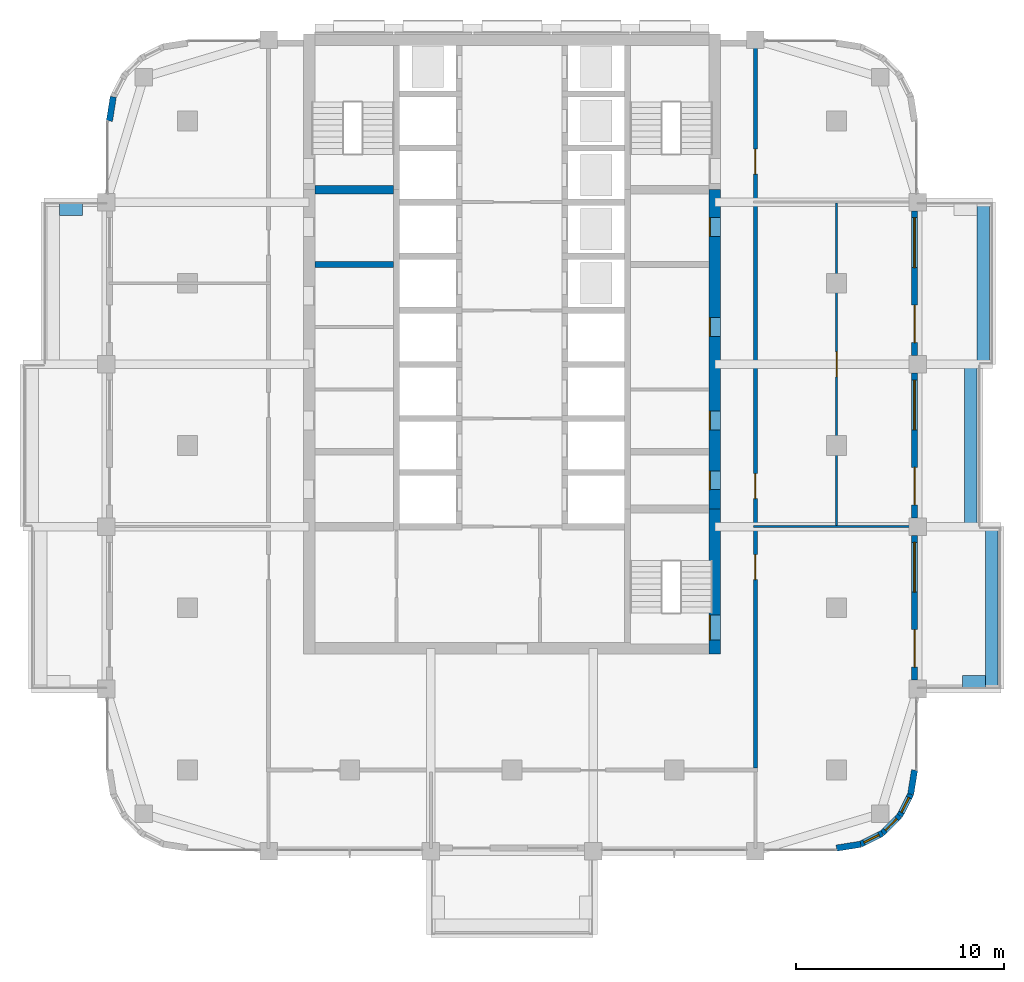
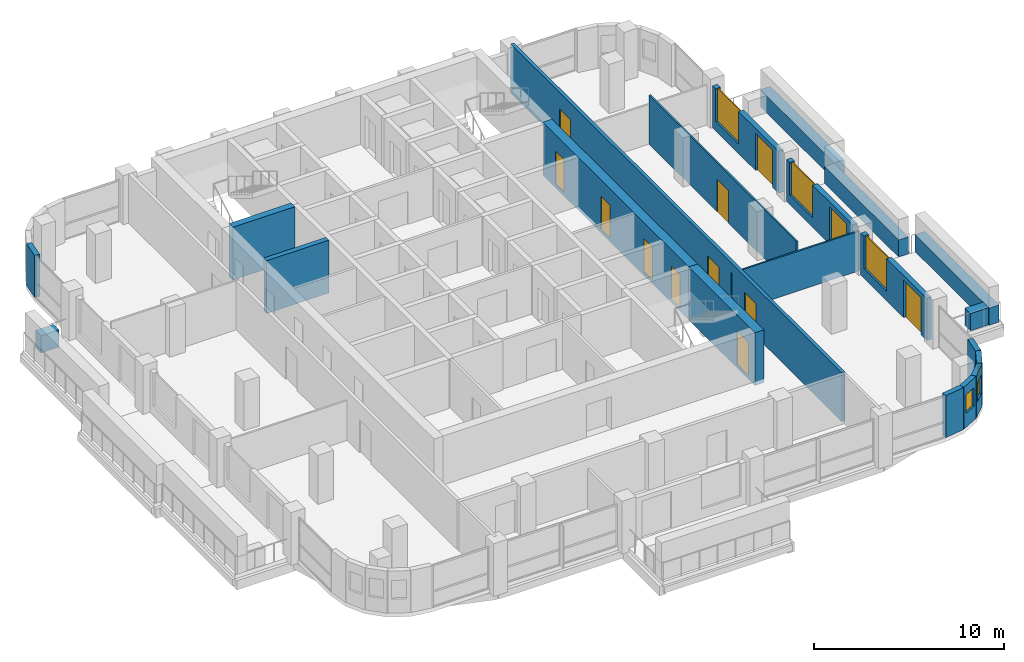
# One storey, part 12 of 19: 21 walls, 12 doors, 6 windows, 18 openings.
"""IFC4 building model written with IfcOpenShell, lengths in metres."""

from ifc_helpers import new_model, si_unit, direction, frame, frame_2d, origin, place, context, subcontext, project, spatial, rectangle, extrude, material, layer, layer_set, type_object, element, fill, save


model = new_model("IFC4")

# Units and contexts
model_context = context("Model", 3, precision=1e-05, world=origin(), true_north=direction((0.0, 1.0)))
body_context = subcontext(model_context, "Body", "Model", "MODEL_VIEW")
ifc_project = project(units=[si_unit("LENGTHUNIT", "METRE"), si_unit("AREAUNIT", "SQUARE_METRE"), si_unit("VOLUMEUNIT", "CUBIC_METRE"), si_unit("PLANEANGLEUNIT", "RADIAN"), si_unit("MASSUNIT", "GRAM", prefix="KILO")], contexts=[model_context])

# Site, building, storey
site_placement = place(None, origin())
site = spatial("IfcSite", under=ifc_project, at=site_placement, CompositionType="ELEMENT")
building_placement = place(site_placement, origin())
building = spatial("IfcBuilding", under=site, at=building_placement, Name="Ludao Terraces", CompositionType="ELEMENT")
storey_placement = place(building_placement, frame((0.0, 0.0, 133.89990234375)))
storey = spatial("IfcBuildingStorey", under=building, at=storey_placement, Name="L36", CompositionType="ELEMENT", Elevation=133.89990234375)

# Wall, opening, door
ifc_material_1 = material(Name="Concrete C60", Category="concrete")
ifc_layer_1 = layer(ifc_material_1, 0.550048828125)
ifc_layer_set_1 = layer_set([ifc_layer_1], Name="Core wall 550 C60")
wall_type_1 = type_object("IfcWallType", Name="Core wall 550 C60", PredefinedType="SOLIDWALL", material=ifc_layer_set_1)
wall_1_placement = place(storey_placement, frame((94.75, 54.97509765625, -0.25), z_axis=(0.0, 0.0, 1.0), x_axis=(0.0, 1.0, 0.0)))
wall_1 = element("IfcWall", 1, at=wall_1_placement, inside=storey, type_object=wall_type_1, Name="Core wall L36 outer-E-S3", PredefinedType="SOLIDWALL", context=body_context, shape_type="SweptSolid", body=[
    extrude(rectangle(XDim=6.974853515625, YDim=0.550048828125, at=frame_2d((3.4873046875, 0.0))), origin(), (0.0, 0.0, 1.0), 3.400146484375),
])
opening_1_placement = place(wall_1_placement, frame((0.675048828125, 0.0, 0.25)))
opening_1 = element("IfcOpeningElement", 2, at=opening_1_placement, cuts=wall_1, Name="Opening C2-004", PredefinedType="OPENING", context=body_context, shape_type="SweptSolid", body=[
    extrude(rectangle(XDim=1.199951171875, YDim=2.10009765625, at=frame_2d((0.60009765625, 1.050048828125))), frame((0.0, 0.28515625, 0.0), z_axis=(0.0, -1.0, 0.0), x_axis=(1.0, 0.0, 0.0)), (0.0, 0.0, 1.0), 0.570068359375),
])
ifc_material_2 = material(Name="Steel Q235", Category="steel")
door_type_1 = type_object("IfcDoorType", Name="INT Stair door 1200", OperationType="DOUBLE_DOOR_SINGLE_SWING", PredefinedType="DOOR", material=ifc_material_2)
door_1_placement = place(opening_1_placement, origin())
door_1 = element("IfcDoor", 3, at=door_1_placement, inside=storey, type_object=door_type_1, Name="DOOR 004", OperationType="DOUBLE_DOOR_SINGLE_SWING", OverallHeight=2.10009765625, OverallWidth=1.199951171875, PredefinedType="DOOR", context=body_context, shape_type="SweptSolid", body=[
    extrude(rectangle(XDim=1.199951171875, YDim=2.10009765625, at=frame_2d((0.60009765625, 1.050048828125))), frame((0.0, 0.26025390625, 0.0), z_axis=(0.0, -1.0, 0.0), x_axis=(1.0, 0.0, 0.0)), (0.0, 0.0, 1.0), 0.050048828125),
])
fill(opening_1, door_1)

# Wall, openings, doors
wall_2_placement = place(storey_placement, frame((94.75, 61.949951171875, -0.25), z_axis=(0.0, 0.0, 1.0), x_axis=(0.0, 1.0, 0.0)))
wall_2 = element("IfcWall", 4, at=wall_2_placement, inside=storey, type_object=wall_type_1, Name="Core wall L36 outer-E", PredefinedType="SOLIDWALL", context=body_context, shape_type="SweptSolid", body=[
    extrude(rectangle(XDim=15.35009765625, YDim=0.550048828125, at=frame_2d((7.675048828125, 0.0))), origin(), (0.0, 0.0, 1.0), 3.400146484375),
])
opening_2_placement = place(wall_2_placement, frame((0.925048828125, 0.0, 0.25)))
opening_2 = element("IfcOpeningElement", 5, at=opening_2_placement, cuts=wall_2, Name="Opening C2-014", PredefinedType="OPENING", context=body_context, shape_type="SweptSolid", body=[
    extrude(rectangle(XDim=0.89990234375, YDim=2.10009765625, at=frame_2d((0.449951171875, 1.050048828125))), frame((0.0, 0.28515625, 0.0), z_axis=(0.0, -1.0, 0.0), x_axis=(1.0, 0.0, 0.0)), (0.0, 0.0, 1.0), 0.570068359375),
])
opening_3_placement = place(wall_2_placement, frame((3.800048828125, 0.0, 0.25)))
opening_3 = element("IfcOpeningElement", 6, at=opening_3_placement, cuts=wall_2, Name="Opening C2-018", PredefinedType="OPENING", context=body_context, shape_type="SweptSolid", body=[
    extrude(rectangle(XDim=0.89990234375, YDim=2.10009765625, at=frame_2d((0.449951171875, 1.050048828125))), frame((0.0, 0.28515625, 0.0), z_axis=(0.0, -1.0, 0.0), x_axis=(1.0, 0.0, 0.0)), (0.0, 0.0, 1.0), 0.570068359375),
])
opening_4_placement = place(wall_2_placement, frame((8.300048828125, 0.0, 0.25)))
opening_4 = element("IfcOpeningElement", 7, at=opening_4_placement, cuts=wall_2, Name="Opening C2-027", PredefinedType="OPENING", context=body_context, shape_type="SweptSolid", body=[
    extrude(rectangle(XDim=0.89990234375, YDim=2.10009765625, at=frame_2d((0.449951171875, 1.050048828125))), frame((0.0, 0.28515625, 0.0), z_axis=(0.0, -1.0, 0.0), x_axis=(1.0, 0.0, 0.0)), (0.0, 0.0, 1.0), 0.570068359375),
])
opening_5_placement = place(wall_2_placement, frame((13.10009765625, 0.0, 0.25)))
opening_5 = element("IfcOpeningElement", 8, at=opening_5_placement, cuts=wall_2, Name="Opening C2-036", PredefinedType="OPENING", context=body_context, shape_type="SweptSolid", body=[
    extrude(rectangle(XDim=0.89990234375, YDim=2.10009765625, at=frame_2d((0.449951171875, 1.050048828125))), frame((0.0, 0.28515625, 0.0), z_axis=(0.0, -1.0, 0.0), x_axis=(1.0, 0.0, 0.0)), (0.0, 0.0, 1.0), 0.570068359375),
])
door_type_2 = type_object("IfcDoorType", Name="INT Riser door 900", OperationType="SINGLE_SWING_LEFT", PredefinedType="DOOR", material=ifc_material_2)
door_2_placement = place(opening_2_placement, origin())
door_2 = element("IfcDoor", 9, at=door_2_placement, inside=storey, type_object=door_type_2, Name="DOOR 014", OperationType="SINGLE_SWING_LEFT", OverallHeight=2.10009765625, OverallWidth=0.89990234375, PredefinedType="DOOR", context=body_context, shape_type="SweptSolid", body=[
    extrude(rectangle(XDim=0.89990234375, YDim=2.10009765625, at=frame_2d((0.449951171875, 1.050048828125))), frame((0.0, 0.26025390625, 0.0), z_axis=(0.0, -1.0, 0.0), x_axis=(1.0, 0.0, 0.0)), (0.0, 0.0, 1.0), 0.050048828125),
])
fill(opening_2, door_2)
door_3_placement = place(opening_5_placement, origin())
door_3 = element("IfcDoor", 10, at=door_3_placement, inside=storey, type_object=door_type_2, Name="DOOR 036", OperationType="SINGLE_SWING_LEFT", OverallHeight=2.10009765625, OverallWidth=0.89990234375, PredefinedType="DOOR", context=body_context, shape_type="SweptSolid", body=[
    extrude(rectangle(XDim=0.89990234375, YDim=2.10009765625, at=frame_2d((0.449951171875, 1.050048828125))), frame((0.0, 0.26025390625, 0.0), z_axis=(0.0, -1.0, 0.0), x_axis=(1.0, 0.0, 0.0)), (0.0, 0.0, 1.0), 0.050048828125),
])
fill(opening_5, door_3)
ifc_material_3 = material(Name="Timber door leaf", Category="wood")
door_type_3 = type_object("IfcDoorType", Name="INT Room door 900", OperationType="SINGLE_SWING_LEFT", PredefinedType="DOOR", material=ifc_material_3)
door_4_placement = place(opening_3_placement, origin())
door_4 = element("IfcDoor", 11, at=door_4_placement, inside=storey, type_object=door_type_3, Name="DOOR 018", OperationType="SINGLE_SWING_LEFT", OverallHeight=2.10009765625, OverallWidth=0.89990234375, PredefinedType="DOOR", context=body_context, shape_type="SweptSolid", body=[
    extrude(rectangle(XDim=0.89990234375, YDim=2.10009765625, at=frame_2d((0.449951171875, 1.050048828125))), frame((0.0, 0.26025390625, 0.0), z_axis=(0.0, -1.0, 0.0), x_axis=(1.0, 0.0, 0.0)), (0.0, 0.0, 1.0), 0.050048828125),
])
fill(opening_3, door_4)
door_5_placement = place(opening_4_placement, origin())
door_5 = element("IfcDoor", 12, at=door_5_placement, inside=storey, type_object=door_type_3, Name="DOOR 027", OperationType="SINGLE_SWING_RIGHT", OverallHeight=2.10009765625, OverallWidth=0.89990234375, PredefinedType="DOOR", context=body_context, shape_type="SweptSolid", body=[
    extrude(rectangle(XDim=0.89990234375, YDim=2.10009765625, at=frame_2d((0.449951171875, 1.050048828125))), frame((0.0, 0.26025390625, 0.0), z_axis=(0.0, -1.0, 0.0), x_axis=(1.0, 0.0, 0.0)), (0.0, 0.0, 1.0), 0.050048828125),
])
fill(opening_4, door_5)

# Walls
ifc_material_4 = material(Name="Concrete C40", Category="concrete")
ifc_layer_2 = layer(ifc_material_4, 0.60009765625)
ifc_layer_set_2 = layer_set([ifc_layer_2], Name="ENV Planter trough 600")
wall_type_2 = type_object("IfcWallType", Name="ENV Planter trough 600", PredefinedType="USERDEFINED", material=ifc_layer_set_2)
wall_3_placement = place(storey_placement, frame((108.050048828125, 53.300048828125, 0.0), z_axis=(0.0, 0.0, 1.0), x_axis=(0.0, 1.0, 0.0)))
element("IfcWall", 13, at=wall_3_placement, inside=storey, type_object=wall_type_2, Name="PL-L36-E1", ObjectType="PLANTER", PredefinedType="USERDEFINED", context=body_context, shape_type="SweptSolid", body=[
    extrude(rectangle(XDim=7.800048828125, YDim=0.60009765625, at=frame_2d((3.89990234375, 0.0))), origin(), (0.0, 0.0, 1.0), 1.10009765625),
])
wall_4_placement = place(storey_placement, frame((107.75, 53.64990234375, 0.0), z_axis=(0.0, 0.0, 1.0), x_axis=(-1.0, 0.0, 0.0)))
element("IfcWall", 14, at=wall_4_placement, inside=storey, type_object=wall_type_2, Name="PL-L36-E1-SA", ObjectType="PLANTER", PredefinedType="USERDEFINED", context=body_context, shape_type="SweptSolid", body=[
    extrude(rectangle(XDim=1.10009765625, YDim=0.60009765625, at=frame_2d((0.550048828125, 0.0))), origin(), (0.0, 0.0, 1.0), 1.10009765625),
])
wall_5_placement = place(storey_placement, frame((107.050048828125, 61.10009765625, 0.0), z_axis=(0.0, 0.0, 1.0), x_axis=(0.0, 1.0, 0.0)))
element("IfcWall", 15, at=wall_5_placement, inside=storey, type_object=wall_type_2, Name="PL-L36-E2", ObjectType="PLANTER", PredefinedType="USERDEFINED", context=body_context, shape_type="SweptSolid", body=[
    extrude(rectangle(XDim=7.7998046875, YDim=0.60009765625, at=frame_2d((3.89990234375, 0.0))), origin(), (0.0, 0.0, 1.0), 1.10009765625),
])
wall_6_placement = place(storey_placement, frame((107.64990234375, 68.89990234375, 0.0), z_axis=(0.0, 0.0, 1.0), x_axis=(0.0, 1.0, 0.0)))
element("IfcWall", 16, at=wall_6_placement, inside=storey, type_object=wall_type_2, Name="PL-L36-E3", ObjectType="PLANTER", PredefinedType="USERDEFINED", context=body_context, shape_type="SweptSolid", body=[
    extrude(rectangle(XDim=7.800048828125, YDim=0.60009765625, at=frame_2d((3.89990234375, 0.0))), origin(), (0.0, 0.0, 1.0), 1.10009765625),
])
wall_7_placement = place(storey_placement, frame((63.25, 76.35009765625, 0.0), z_axis=(0.0, 0.0, 1.0), x_axis=(1.0, 0.0, 0.0)))
element("IfcWall", 17, at=wall_7_placement, inside=storey, type_object=wall_type_2, Name="PL-L36-W3-SB", ObjectType="PLANTER", PredefinedType="USERDEFINED", context=body_context, shape_type="SweptSolid", body=[
    extrude(rectangle(XDim=1.10009765625, YDim=0.60009765625, at=frame_2d((0.550048828125, 0.0))), origin(), (0.0, 0.0, 1.0), 1.10009765625),
])

# Wall, openings, door, window
ifc_material_5 = material(Name="Granite cladding", Category="masonry")
ifc_layer_3 = layer(ifc_material_5, 0.0400390625, Category="stone")
ifc_material_6 = material(Name="Mineral wool")
ifc_layer_4 = layer(ifc_material_6, 0.06005859375)
ifc_layer_5 = layer(ifc_material_4, 0.199951171875, Category="concrete")
ifc_layer_set_3 = layer_set([ifc_layer_3, ifc_layer_4, ifc_layer_5], Name="ENV Stone-clad wall 300")
wall_type_3 = type_object("IfcWallType", Name="ENV Stone-clad wall 300", PredefinedType="SOLIDWALL", material=ifc_layer_set_3)
wall_8_placement = place(storey_placement, frame((104.35009765625, 53.72509765625, 0.0), z_axis=(0.0, 0.0, 1.0), x_axis=(0.0, 1.0, 0.0)))
wall_8 = element("IfcWall", 18, at=wall_8_placement, inside=storey, type_object=wall_type_3, Name="EW-L36-E2", PredefinedType="SOLIDWALL", context=body_context, shape_type="SweptSolid", body=[
    extrude(rectangle(XDim=6.949951171875, YDim=0.300048828125, at=frame_2d((3.47509765625, 0.0))), origin(), (0.0, 0.0, 1.0), 2.7001953125),
])
opening_6_placement = place(wall_8_placement, frame((0.625, 0.0, 0.0)))
opening_6 = element("IfcOpeningElement", 19, at=opening_6_placement, cuts=wall_8, Name="Opening BD", PredefinedType="OPENING", context=body_context, shape_type="SweptSolid", body=[
    extrude(rectangle(XDim=1.800048828125, YDim=2.39990234375, at=frame_2d((0.89990234375, 1.199951171875))), frame((0.0, 0.16015625, 0.0), z_axis=(0.0, -1.0, 0.0), x_axis=(1.0, 0.0, 0.0)), (0.0, 0.0, 1.0), 0.320068359375),
])
opening_7_placement = place(wall_8_placement, frame((4.22509765625, 0.0, 0.60009765625)))
opening_7 = element("IfcOpeningElement", 20, at=opening_7_placement, cuts=wall_8, Name="Opening W4", PredefinedType="OPENING", context=body_context, shape_type="SweptSolid", body=[
    extrude(rectangle(XDim=2.39990234375, YDim=2.10009765625, at=frame_2d((1.199951171875, 1.050048828125))), frame((0.0, 0.16015625, 0.0), z_axis=(0.0, -1.0, 0.0), x_axis=(1.0, 0.0, 0.0)), (0.0, 0.0, 1.0), 0.320068359375),
])
ifc_material_7 = material(Name="Aluminium glazed door", Category="aluminium")
ifc_layer_6 = layer(ifc_material_7, 0.06005859375)
ifc_layer_set_4 = layer_set([ifc_layer_6], Name="ENV Balcony door BD 1800x2400")
door_type_4 = type_object("IfcDoorType", Name="ENV Balcony door BD 1800x2400", OperationType="DOUBLE_DOOR_SINGLE_SWING", PredefinedType="DOOR", material=ifc_layer_set_4)
door_6_placement = place(opening_6_placement, origin())
door_6 = element("IfcDoor", 21, at=door_6_placement, inside=storey, type_object=door_type_4, Name="BD-L36-E2-1", OperationType="DOUBLE_DOOR_SINGLE_SWING", OverallHeight=2.39990234375, OverallWidth=1.800048828125, PredefinedType="DOOR", context=body_context, shape_type="SweptSolid", body=[
    extrude(rectangle(XDim=1.800048828125, YDim=2.39990234375, at=frame_2d((0.89990234375, 1.199951171875))), frame((0.0, 0.02490234375, 0.0), z_axis=(0.0, -1.0, 0.0), x_axis=(1.0, 0.0, 0.0)), (0.0, 0.0, 1.0), 0.050048828125),
])
fill(opening_6, door_6)
ifc_material_8 = material(Name="Clear glass in aluminium frame", Category="aluminium")
ifc_layer_7 = layer(ifc_material_8, 0.06005859375)
ifc_layer_set_5 = layer_set([ifc_layer_7], Name="ENV Window W4 2400x2100")
window_type_1 = type_object("IfcWindowType", Name="ENV Window W4 2400x2100", PartitioningType="SINGLE_PANEL", PredefinedType="WINDOW", material=ifc_layer_set_5)
window_1_placement = place(opening_7_placement, origin())
window_1 = element("IfcWindow", 22, at=window_1_placement, inside=storey, type_object=window_type_1, Name="W-L36-E2-2", OverallHeight=2.10009765625, OverallWidth=2.39990234375, PartitioningType="SINGLE_PANEL", PredefinedType="WINDOW", context=body_context, shape_type="SweptSolid", body=[
    extrude(rectangle(XDim=2.39990234375, YDim=2.10009765625, at=frame_2d((1.199951171875, 1.050048828125))), frame((0.0, 0.030029296875, 0.0), z_axis=(0.0, -1.0, 0.0), x_axis=(1.0, 0.0, 0.0)), (0.0, 0.0, 1.0), 0.06005859375),
])
fill(opening_7, window_1)

wall_9_placement = place(storey_placement, frame((104.35009765625, 61.52490234375, 0.0), z_axis=(0.0, 0.0, 1.0), x_axis=(0.0, 1.0, 0.0)))
wall_9 = element("IfcWall", 23, at=wall_9_placement, inside=storey, type_object=wall_type_3, Name="EW-L36-E3", PredefinedType="SOLIDWALL", context=body_context, shape_type="SweptSolid", body=[
    extrude(rectangle(XDim=6.9501953125, YDim=0.300048828125, at=frame_2d((3.47509765625, 0.0))), origin(), (0.0, 0.0, 1.0), 2.7001953125),
])
opening_8_placement = place(wall_9_placement, frame((0.625, 0.0, 0.0)))
opening_8 = element("IfcOpeningElement", 24, at=opening_8_placement, cuts=wall_9, Name="Opening BD", PredefinedType="OPENING", context=body_context, shape_type="SweptSolid", body=[
    extrude(rectangle(XDim=1.800048828125, YDim=2.39990234375, at=frame_2d((0.89990234375, 1.199951171875))), frame((0.0, 0.16015625, 0.0), z_axis=(0.0, -1.0, 0.0), x_axis=(1.0, 0.0, 0.0)), (0.0, 0.0, 1.0), 0.320068359375),
])
opening_9_placement = place(wall_9_placement, frame((4.22509765625, 0.0, 0.60009765625)))
opening_9 = element("IfcOpeningElement", 25, at=opening_9_placement, cuts=wall_9, Name="Opening W4", PredefinedType="OPENING", context=body_context, shape_type="SweptSolid", body=[
    extrude(rectangle(XDim=2.39990234375, YDim=2.10009765625, at=frame_2d((1.199951171875, 1.050048828125))), frame((0.0, 0.16015625, 0.0), z_axis=(0.0, -1.0, 0.0), x_axis=(1.0, 0.0, 0.0)), (0.0, 0.0, 1.0), 0.320068359375),
])
door_7_placement = place(opening_8_placement, origin())
door_7 = element("IfcDoor", 26, at=door_7_placement, inside=storey, type_object=door_type_4, Name="BD-L36-E3-1", OperationType="DOUBLE_DOOR_SINGLE_SWING", OverallHeight=2.39990234375, OverallWidth=1.800048828125, PredefinedType="DOOR", context=body_context, shape_type="SweptSolid", body=[
    extrude(rectangle(XDim=1.800048828125, YDim=2.39990234375, at=frame_2d((0.89990234375, 1.199951171875))), frame((0.0, 0.02490234375, 0.0), z_axis=(0.0, -1.0, 0.0), x_axis=(1.0, 0.0, 0.0)), (0.0, 0.0, 1.0), 0.050048828125),
])
fill(opening_8, door_7)
window_2_placement = place(opening_9_placement, origin())
window_2 = element("IfcWindow", 27, at=window_2_placement, inside=storey, type_object=window_type_1, Name="W-L36-E3-2", OverallHeight=2.10009765625, OverallWidth=2.39990234375, PartitioningType="SINGLE_PANEL", PredefinedType="WINDOW", context=body_context, shape_type="SweptSolid", body=[
    extrude(rectangle(XDim=2.39990234375, YDim=2.10009765625, at=frame_2d((1.199951171875, 1.050048828125))), frame((0.0, 0.030029296875, 0.0), z_axis=(0.0, -1.0, 0.0), x_axis=(1.0, 0.0, 0.0)), (0.0, 0.0, 1.0), 0.06005859375),
])
fill(opening_9, window_2)

wall_10_placement = place(storey_placement, frame((104.35009765625, 69.324951171875, 0.0), z_axis=(0.0, 0.0, 1.0), x_axis=(0.0, 1.0, 0.0)))
wall_10 = element("IfcWall", 28, at=wall_10_placement, inside=storey, type_object=wall_type_3, Name="EW-L36-E4", PredefinedType="SOLIDWALL", context=body_context, shape_type="SweptSolid", body=[
    extrude(rectangle(XDim=6.949951171875, YDim=0.300048828125, at=frame_2d((3.47509765625, 0.0))), origin(), (0.0, 0.0, 1.0), 2.7001953125),
])
opening_10_placement = place(wall_10_placement, frame((0.625, 0.0, 0.0)))
opening_10 = element("IfcOpeningElement", 29, at=opening_10_placement, cuts=wall_10, Name="Opening BD", PredefinedType="OPENING", context=body_context, shape_type="SweptSolid", body=[
    extrude(rectangle(XDim=1.800048828125, YDim=2.39990234375, at=frame_2d((0.89990234375, 1.199951171875))), frame((0.0, 0.16015625, 0.0), z_axis=(0.0, -1.0, 0.0), x_axis=(1.0, 0.0, 0.0)), (0.0, 0.0, 1.0), 0.320068359375),
])
opening_11_placement = place(wall_10_placement, frame((4.22509765625, 0.0, 0.60009765625)))
opening_11 = element("IfcOpeningElement", 30, at=opening_11_placement, cuts=wall_10, Name="Opening W4", PredefinedType="OPENING", context=body_context, shape_type="SweptSolid", body=[
    extrude(rectangle(XDim=2.39990234375, YDim=2.10009765625, at=frame_2d((1.199951171875, 1.050048828125))), frame((0.0, 0.16015625, 0.0), z_axis=(0.0, -1.0, 0.0), x_axis=(1.0, 0.0, 0.0)), (0.0, 0.0, 1.0), 0.320068359375),
])
door_8_placement = place(opening_10_placement, origin())
door_8 = element("IfcDoor", 31, at=door_8_placement, inside=storey, type_object=door_type_4, Name="BD-L36-E4-1", OperationType="DOUBLE_DOOR_SINGLE_SWING", OverallHeight=2.39990234375, OverallWidth=1.800048828125, PredefinedType="DOOR", context=body_context, shape_type="SweptSolid", body=[
    extrude(rectangle(XDim=1.800048828125, YDim=2.39990234375, at=frame_2d((0.89990234375, 1.199951171875))), frame((0.0, 0.02490234375, 0.0), z_axis=(0.0, -1.0, 0.0), x_axis=(1.0, 0.0, 0.0)), (0.0, 0.0, 1.0), 0.050048828125),
])
fill(opening_10, door_8)
window_3_placement = place(opening_11_placement, origin())
window_3 = element("IfcWindow", 32, at=window_3_placement, inside=storey, type_object=window_type_1, Name="W-L36-E4-2", OverallHeight=2.10009765625, OverallWidth=2.39990234375, PartitioningType="SINGLE_PANEL", PredefinedType="WINDOW", context=body_context, shape_type="SweptSolid", body=[
    extrude(rectangle(XDim=2.39990234375, YDim=2.10009765625, at=frame_2d((1.199951171875, 1.050048828125))), frame((0.0, 0.030029296875, 0.0), z_axis=(0.0, -1.0, 0.0), x_axis=(1.0, 0.0, 0.0)), (0.0, 0.0, 1.0), 0.06005859375),
])
fill(opening_11, window_3)

# Wall
wall_11_placement = place(storey_placement, frame((100.60009765625, 45.64990234375, 0.0), z_axis=(0.0, 0.0, 1.0), x_axis=(0.987678452879, 0.156496880861, 0.0)))
element("IfcWall", 33, at=wall_11_placement, inside=storey, type_object=wall_type_3, Name="EW-L36-SE1", PredefinedType="SOLIDWALL", context=body_context, shape_type="SweptSolid", body=[
    extrude(rectangle(XDim=1.173095703125, YDim=0.300048828125, at=frame_2d((0.58642578125, 0.0))), origin(), (0.0, 0.0, 1.0), 2.7001953125),
])

# Wall, opening, window
wall_12_placement = place(storey_placement, frame((101.7587890625, 45.83349609375, 0.0), z_axis=(0.0, 0.0, 1.0), x_axis=(0.890988677504, 0.454025524128, 0.0)))
wall_12 = element("IfcWall", 34, at=wall_12_placement, inside=storey, type_object=wall_type_3, Name="EW-L36-SE2", PredefinedType="SOLIDWALL", context=body_context, shape_type="SweptSolid", body=[
    extrude(rectangle(XDim=1.17333984375, YDim=0.300048828125, at=frame_2d((0.586669921875, 0.0))), origin(), (0.0, 0.0, 1.0), 2.7001953125),
])
opening_12_placement = place(wall_12_placement, frame((0.1865234375, 0.0, 0.89990234375)))
opening_12 = element("IfcOpeningElement", 35, at=opening_12_placement, cuts=wall_12, Name="Opening W3", PredefinedType="OPENING", context=body_context, shape_type="SweptSolid", body=[
    extrude(rectangle(XDim=0.800048828125, YDim=1.199951171875, at=frame_2d((0.39990234375, 0.60009765625))), frame((0.0, 0.16015625, 0.0), z_axis=(0.0, -1.0, 0.0), x_axis=(1.0, 0.0, 0.0)), (0.0, 0.0, 1.0), 0.320068359375),
])
ifc_layer_8 = layer(ifc_material_8, 0.06005859375)
ifc_layer_set_6 = layer_set([ifc_layer_8], Name="ENV Window W3 800x1200")
window_type_2 = type_object("IfcWindowType", Name="ENV Window W3 800x1200", PartitioningType="SINGLE_PANEL", PredefinedType="WINDOW", material=ifc_layer_set_6)
window_4_placement = place(opening_12_placement, origin())
window_4 = element("IfcWindow", 36, at=window_4_placement, inside=storey, type_object=window_type_2, Name="W-L36-SE2", OverallHeight=1.199951171875, OverallWidth=0.800048828125, PartitioningType="SINGLE_PANEL", PredefinedType="WINDOW", context=body_context, shape_type="SweptSolid", body=[
    extrude(rectangle(XDim=0.800048828125, YDim=1.199951171875, at=frame_2d((0.39990234375, 0.60009765625))), frame((0.0, 0.030029296875, 0.0), z_axis=(0.0, -1.0, 0.0), x_axis=(1.0, 0.0, 0.0)), (0.0, 0.0, 1.0), 0.06005859375),
])
fill(opening_12, window_4)

wall_13_placement = place(storey_placement, frame((102.80419921875, 46.3662109375, 0.0), z_axis=(0.0, 0.0, 1.0), x_axis=(0.707106781187, 0.707106781187, 0.0)))
wall_13 = element("IfcWall", 37, at=wall_13_placement, inside=storey, type_object=wall_type_3, Name="EW-L36-SE3", PredefinedType="SOLIDWALL", context=body_context, shape_type="SweptSolid", body=[
    extrude(rectangle(XDim=1.173095703125, YDim=0.300048828125, at=frame_2d((0.58642578125, 0.0))), origin(), (0.0, 0.0, 1.0), 2.7001953125),
])
opening_13_placement = place(wall_13_placement, frame((0.1865234375, 0.0, 0.89990234375)))
opening_13 = element("IfcOpeningElement", 38, at=opening_13_placement, cuts=wall_13, Name="Opening W3", PredefinedType="OPENING", context=body_context, shape_type="SweptSolid", body=[
    extrude(rectangle(XDim=0.800048828125, YDim=1.199951171875, at=frame_2d((0.39990234375, 0.60009765625))), frame((0.0, 0.16015625, 0.0), z_axis=(0.0, -1.0, 0.0), x_axis=(1.0, 0.0, 0.0)), (0.0, 0.0, 1.0), 0.320068359375),
])
window_5_placement = place(opening_13_placement, origin())
window_5 = element("IfcWindow", 39, at=window_5_placement, inside=storey, type_object=window_type_2, Name="W-L36-SE3", OverallHeight=1.199951171875, OverallWidth=0.800048828125, PartitioningType="SINGLE_PANEL", PredefinedType="WINDOW", context=body_context, shape_type="SweptSolid", body=[
    extrude(rectangle(XDim=0.800048828125, YDim=1.199951171875, at=frame_2d((0.39990234375, 0.60009765625))), frame((0.0, 0.030029296875, 0.0), z_axis=(0.0, -1.0, 0.0), x_axis=(1.0, 0.0, 0.0)), (0.0, 0.0, 1.0), 0.06005859375),
])
fill(opening_13, window_5)

wall_14_placement = place(storey_placement, frame((103.6337890625, 47.19580078125, 0.0), z_axis=(0.0, 0.0, 1.0), x_axis=(0.454025524128, 0.890988677504, 0.0)))
wall_14 = element("IfcWall", 40, at=wall_14_placement, inside=storey, type_object=wall_type_3, Name="EW-L36-SE4", PredefinedType="SOLIDWALL", context=body_context, shape_type="SweptSolid", body=[
    extrude(rectangle(XDim=1.17333984375, YDim=0.300048828125, at=frame_2d((0.586669921875, 0.0))), origin(), (0.0, 0.0, 1.0), 2.7001953125),
])
opening_14_placement = place(wall_14_placement, frame((0.1865234375, 0.0, 0.89990234375)))
opening_14 = element("IfcOpeningElement", 41, at=opening_14_placement, cuts=wall_14, Name="Opening W3", PredefinedType="OPENING", context=body_context, shape_type="SweptSolid", body=[
    extrude(rectangle(XDim=0.800048828125, YDim=1.199951171875, at=frame_2d((0.39990234375, 0.60009765625))), frame((0.0, 0.16015625, 0.0), z_axis=(0.0, -1.0, 0.0), x_axis=(1.0, 0.0, 0.0)), (0.0, 0.0, 1.0), 0.320068359375),
])
window_6_placement = place(opening_14_placement, origin())
window_6 = element("IfcWindow", 42, at=window_6_placement, inside=storey, type_object=window_type_2, Name="W-L36-SE4", OverallHeight=1.199951171875, OverallWidth=0.800048828125, PartitioningType="SINGLE_PANEL", PredefinedType="WINDOW", context=body_context, shape_type="SweptSolid", body=[
    extrude(rectangle(XDim=0.800048828125, YDim=1.199951171875, at=frame_2d((0.39990234375, 0.60009765625))), frame((0.0, 0.030029296875, 0.0), z_axis=(0.0, -1.0, 0.0), x_axis=(1.0, 0.0, 0.0)), (0.0, 0.0, 1.0), 0.06005859375),
])
fill(opening_14, window_6)

# Walls
for number, where, z_axis, x_axis, name in (
    (43, (104.16650390625, 48.2412109375, 0.0), (0.0, 0.0, 1.0), (0.156496880861, 0.987678452879, 0.0), "EW-L36-SE5"),
    (44, (65.83349609375, 81.7587890625, 0.0), (0.0, 0.0, 1.0), (-0.156496880861, -0.987678452879, 0.0), "EW-L36-NW5"),
):
    element("IfcWall", number, at=place(storey_placement, frame(where, z_axis=z_axis, x_axis=x_axis)), inside=storey, type_object=wall_type_3, Name=name, PredefinedType="SOLIDWALL", context=body_context, shape_type="SweptSolid", body=[
        extrude(rectangle(XDim=1.173095703125, YDim=0.300048828125, at=frame_2d((0.58642578125, 0.0))), origin(), (0.0, 0.0, 1.0), 2.7001953125),
    ])

# Wall, openings, doors
ifc_material_9 = material(Name="Autoclaved aerated concrete block B06 A3.5", Category="concrete")
ifc_layer_9 = layer(ifc_material_9, 0.199951171875)
ifc_layer_set_7 = layer_set([ifc_layer_9], Name="INT Entrance wall 200")
wall_type_4 = type_object("IfcWallType", Name="INT Entrance wall 200", PredefinedType="PARTITIONING", material=ifc_layer_set_7)
wall_15_placement = place(storey_placement, frame((96.699951171875, 49.5, 0.0), z_axis=(0.0, 0.0, 1.0), x_axis=(0.0, 1.0, 0.0)))
wall_15 = element("IfcWall", 45, at=wall_15_placement, inside=storey, type_object=wall_type_4, Name="PW-L36-PW018", PredefinedType="PARTITIONING", context=body_context, shape_type="SweptSolid", body=[
    extrude(rectangle(XDim=34.864990234375, YDim=0.199951171875, at=frame_2d((17.4326171875, 0.0))), origin(), (0.0, 0.0, 1.0), 3.150146484375),
])
opening_15_placement = place(wall_15_placement, frame((9.050048828125, 0.0, 0.0)))
opening_15 = element("IfcOpeningElement", 46, at=opening_15_placement, cuts=wall_15, Name="Opening C2-008", PredefinedType="OPENING", context=body_context, shape_type="SweptSolid", body=[
    extrude(rectangle(XDim=1.199951171875, YDim=2.10009765625, at=frame_2d((0.60009765625, 1.050048828125))), frame((0.0, 0.10986328125, 0.0), z_axis=(0.0, -1.0, 0.0), x_axis=(1.0, 0.0, 0.0)), (0.0, 0.0, 1.0), 0.219970703125),
])
opening_16_placement = place(wall_15_placement, frame((12.9501953125, 0.0, 0.0)))
opening_16 = element("IfcOpeningElement", 47, at=opening_16_placement, cuts=wall_15, Name="Opening C2-013", PredefinedType="OPENING", context=body_context, shape_type="SweptSolid", body=[
    extrude(rectangle(XDim=1.199951171875, YDim=2.10009765625, at=frame_2d((0.60009765625, 1.050048828125))), frame((0.0, 0.10986328125, 0.0), z_axis=(0.0, -1.0, 0.0), x_axis=(1.0, 0.0, 0.0)), (0.0, 0.0, 1.0), 0.219970703125),
])
opening_17_placement = place(wall_15_placement, frame((28.550048828125, 0.0, 0.0)))
opening_17 = element("IfcOpeningElement", 48, at=opening_17_placement, cuts=wall_15, Name="Opening C2-042", PredefinedType="OPENING", context=body_context, shape_type="SweptSolid", body=[
    extrude(rectangle(XDim=1.199951171875, YDim=2.10009765625, at=frame_2d((0.60009765625, 1.050048828125))), frame((0.0, 0.10986328125, 0.0), z_axis=(0.0, -1.0, 0.0), x_axis=(1.0, 0.0, 0.0)), (0.0, 0.0, 1.0), 0.219970703125),
])
door_type_5 = type_object("IfcDoorType", Name="INT Double door 1200", OperationType="DOUBLE_DOOR_SINGLE_SWING", PredefinedType="DOOR", material=ifc_material_3)
door_9_placement = place(opening_15_placement, origin())
door_9 = element("IfcDoor", 49, at=door_9_placement, inside=storey, type_object=door_type_5, Name="DOOR 008", OperationType="DOUBLE_DOOR_SINGLE_SWING", OverallHeight=2.10009765625, OverallWidth=1.199951171875, PredefinedType="DOOR", context=body_context, shape_type="SweptSolid", body=[
    extrude(rectangle(XDim=1.199951171875, YDim=2.10009765625, at=frame_2d((0.60009765625, 1.050048828125))), frame((0.0, 0.02490234375, 0.0), z_axis=(0.0, -1.0, 0.0), x_axis=(1.0, 0.0, 0.0)), (0.0, 0.0, 1.0), 0.050048828125),
])
fill(opening_15, door_9)
door_10_placement = place(opening_16_placement, origin())
door_10 = element("IfcDoor", 50, at=door_10_placement, inside=storey, type_object=door_type_5, Name="DOOR 013", OperationType="DOUBLE_DOOR_SINGLE_SWING", OverallHeight=2.10009765625, OverallWidth=1.199951171875, PredefinedType="DOOR", context=body_context, shape_type="SweptSolid", body=[
    extrude(rectangle(XDim=1.199951171875, YDim=2.10009765625, at=frame_2d((0.60009765625, 1.050048828125))), frame((0.0, 0.02490234375, 0.0), z_axis=(0.0, -1.0, 0.0), x_axis=(1.0, 0.0, 0.0)), (0.0, 0.0, 1.0), 0.050048828125),
])
fill(opening_16, door_10)
door_11_placement = place(opening_17_placement, origin())
door_11 = element("IfcDoor", 51, at=door_11_placement, inside=storey, type_object=door_type_5, Name="DOOR 042", OperationType="DOUBLE_DOOR_SINGLE_SWING", OverallHeight=2.10009765625, OverallWidth=1.199951171875, PredefinedType="DOOR", context=body_context, shape_type="SweptSolid", body=[
    extrude(rectangle(XDim=1.199951171875, YDim=2.10009765625, at=frame_2d((0.60009765625, 1.050048828125))), frame((0.0, 0.02490234375, 0.0), z_axis=(0.0, -1.0, 0.0), x_axis=(1.0, 0.0, 0.0)), (0.0, 0.0, 1.0), 0.050048828125),
])
fill(opening_17, door_11)

# Wall
ifc_material_10 = material(Name="Gypsum plasterboard", Category="gypsum")
ifc_layer_10 = layer(ifc_material_10, 0.012451171875, Category="gypsum")
ifc_layer_11 = layer(ifc_material_6, 0.06005859375, Name="insulation")
ifc_layer_12 = layer(ifc_material_2, 0.014892578125, Name="stud")
ifc_layer_13 = layer(ifc_material_10, 0.012451171875, Category="gypsum")
ifc_layer_set_8 = layer_set([ifc_layer_10, ifc_layer_11, ifc_layer_12, ifc_layer_13], Name="INT Partition 100")
wall_type_5 = type_object("IfcWallType", Name="INT Partition 100", PredefinedType="PARTITIONING", material=ifc_layer_set_8)
wall_16_placement = place(storey_placement, frame((96.60009765625, 61.10009765625, 0.0), z_axis=(0.0, 0.0, 1.0), x_axis=(1.0, 0.0, 0.0)))
element("IfcWall", 52, at=wall_16_placement, inside=storey, type_object=wall_type_5, Name="PW-L36-PW003", PredefinedType="PARTITIONING", context=body_context, shape_type="SweptSolid", body=[
    extrude(rectangle(XDim=7.764892578125, YDim=0.10009765625, at=frame_2d((3.88232421875, 0.0))), origin(), (0.0, 0.0, 1.0), 2.550048828125),
])

# Wall, opening, door
wall_17_placement = place(storey_placement, frame((100.60009765625, 61.150146484375, 0.0), z_axis=(0.0, 0.0, 1.0), x_axis=(0.0, 1.0, 0.0)))
wall_17 = element("IfcWall", 53, at=wall_17_placement, inside=storey, type_object=wall_type_5, Name="PW-L36-PW019", PredefinedType="PARTITIONING", context=body_context, shape_type="SweptSolid", body=[
    extrude(rectangle(XDim=15.5, YDim=0.10009765625, at=frame_2d((7.75, 0.0))), origin(), (0.0, 0.0, 1.0), 3.150146484375),
])
opening_18_placement = place(wall_17_placement, frame((7.14990234375, 0.0, 0.0)))
opening_18 = element("IfcOpeningElement", 54, at=opening_18_placement, cuts=wall_17, Name="Opening C2-023", PredefinedType="OPENING", context=body_context, shape_type="SweptSolid", body=[
    extrude(rectangle(XDim=1.199951171875, YDim=2.10009765625, at=frame_2d((0.60009765625, 1.050048828125))), frame((0.0, 0.06005859375, 0.0), z_axis=(0.0, -1.0, 0.0), x_axis=(1.0, 0.0, 0.0)), (0.0, 0.0, 1.0), 0.1201171875),
])
door_12_placement = place(opening_18_placement, origin())
door_12 = element("IfcDoor", 55, at=door_12_placement, inside=storey, type_object=door_type_5, Name="DOOR 023", OperationType="DOUBLE_DOOR_SINGLE_SWING", OverallHeight=2.10009765625, OverallWidth=1.199951171875, PredefinedType="DOOR", context=body_context, shape_type="SweptSolid", body=[
    extrude(rectangle(XDim=1.199951171875, YDim=2.10009765625, at=frame_2d((0.60009765625, 1.050048828125))), frame((0.0, 0.02490234375, 0.0), z_axis=(0.0, -1.0, 0.0), x_axis=(1.0, 0.0, 0.0)), (0.0, 0.0, 1.0), 0.050048828125),
])
fill(opening_18, door_12)

# Walls
ifc_material_11 = material(Name="Concrete C55", Category="concrete")
ifc_layer_14 = layer(ifc_material_11, 0.300048828125)
ifc_layer_set_9 = layer_set([ifc_layer_14], Name="Shaft wall 300 C55")
wall_type_6 = type_object("IfcWallType", Name="Shaft wall 300 C55", PredefinedType="SOLIDWALL", material=ifc_layer_set_9)
wall_18_placement = place(storey_placement, frame((75.52490234375, 73.699951171875, -0.25), z_axis=(0.0, 0.0, 1.0), x_axis=(1.0, 0.0, 0.0)))
element("IfcWall", 56, at=wall_18_placement, inside=storey, type_object=wall_type_6, Name="Core wall L36 riser-b-W", PredefinedType="SOLIDWALL", context=body_context, shape_type="SweptSolid", body=[
    extrude(rectangle(XDim=3.775146484375, YDim=0.300048828125, at=frame_2d((1.8876953125, 0.0))), origin(), (0.0, 0.0, 1.0), 3.400146484375),
])
ifc_layer_15 = layer(ifc_material_11, 0.39990234375)
ifc_layer_set_10 = layer_set([ifc_layer_15], Name="Shaft wall 400 C55")
wall_type_7 = type_object("IfcWallType", Name="Shaft wall 400 C55", PredefinedType="SOLIDWALL", material=ifc_layer_set_10)
wall_19_placement = place(storey_placement, frame((75.52490234375, 77.300048828125, -0.25), z_axis=(0.0, 0.0, 1.0), x_axis=(1.0, 0.0, 0.0)))
element("IfcWall", 57, at=wall_19_placement, inside=storey, type_object=wall_type_7, Name="Core wall L36 stair-W", PredefinedType="SOLIDWALL", context=body_context, shape_type="SweptSolid", body=[
    extrude(rectangle(XDim=3.775146484375, YDim=0.39990234375, at=frame_2d((1.8876953125, 0.0))), origin(), (0.0, 0.0, 1.0), 3.400146484375),
])

save(model, "model.ifc")
